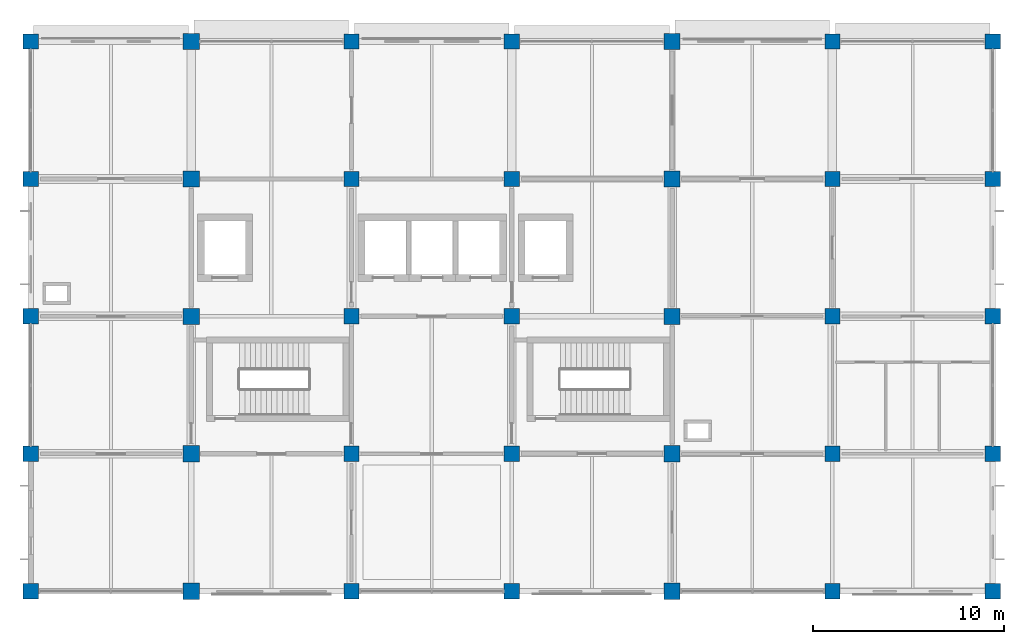
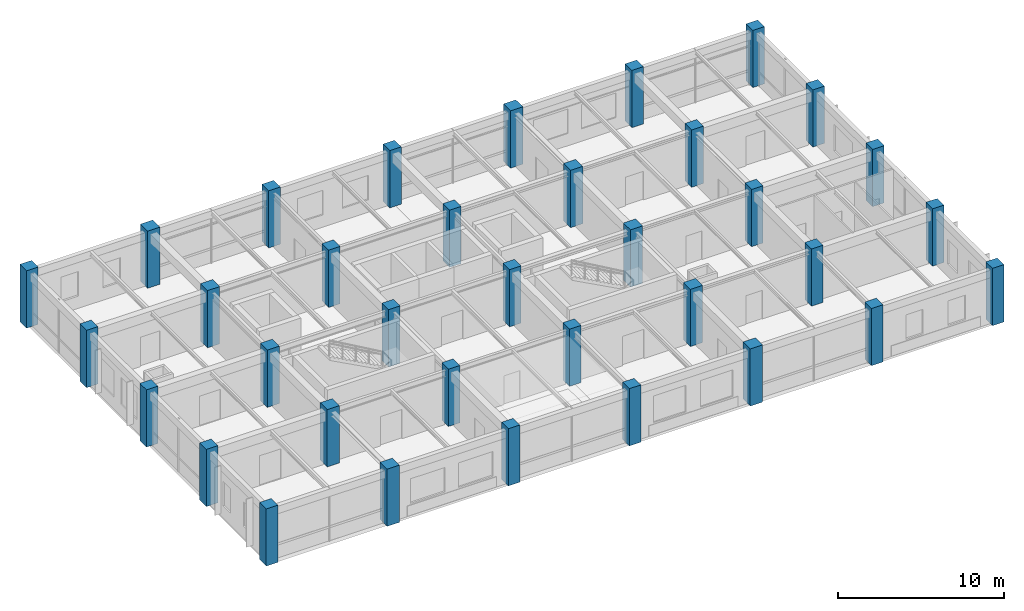
# One storey, part 1 of 13: 35 columns.
"""IFC4 building model written with IfcOpenShell, lengths in metres."""

from ifc_helpers import new_model, si_unit, derived_unit, direction, frame, origin, origin_2d, place, context, subcontext, project, spatial, rectangle, extrude, material, material_profile, profile_set, type_object, element, save


model = new_model("IFC4")

# Units and contexts
model_context = context("Model", 3, precision=1e-05, world=origin(), true_north=direction((0.0, 1.0)))
body_context = subcontext(model_context, "Body", "Model", "MODEL_VIEW")
ifc_project = project(units=[si_unit("LENGTHUNIT", "METRE"), si_unit("AREAUNIT", "SQUARE_METRE"), si_unit("VOLUMEUNIT", "CUBIC_METRE"), si_unit("PLANEANGLEUNIT", "RADIAN"), si_unit("MASSUNIT", "GRAM", prefix="KILO"), derived_unit("THERMALTRANSMITTANCEUNIT", [(si_unit("MASSUNIT", "GRAM", prefix="KILO"), 1), (si_unit("TIMEUNIT", "SECOND"), -3), (si_unit("THERMODYNAMICTEMPERATUREUNIT", "KELVIN"), -1)])], contexts=[model_context])

# Site, building, storey
site_placement = place(None, origin())
site = spatial("IfcSite", under=ifc_project, at=site_placement, CompositionType="ELEMENT")
building_placement = place(site_placement, origin())
building = spatial("IfcBuilding", under=site, at=building_placement, Name="Veldstrom Oceanarium and Marine Research Institute", CompositionType="ELEMENT")
storey_placement = place(building_placement, frame((0.0, 0.0, 27.0)))
storey = spatial("IfcBuildingStorey", under=building, at=storey_placement, Name="L05", CompositionType="ELEMENT", Elevation=27.0)

# Columns
ifc_material_1 = material(Name="Concrete C50/60", Category="concrete")
ifc_material_profile_1 = material_profile(ifc_material_1, rectangle(XDim=0.85009765625, YDim=0.85009765625, at=origin_2d()), Name="RC-COL-850x850")
ifc_profile_set_1 = profile_set([ifc_material_profile_1], Name="Concrete C50/60")
column_type_1 = type_object("IfcColumnType", Name="STR-COL-C03", PredefinedType="COLUMN", material=ifc_profile_set_1)
for number, where, z_axis, x_axis, name in (
    (1, (75.60009765625, 43.199951171875, 0.0), (0.0, 0.0, 1.0), (1.0, 0.0, 0.0), "Column C03 10/G L05"),
    (2, (75.60009765625, 50.39990234375, 0.0), (0.0, 0.0, 1.0), (1.0, 0.0, 0.0), "Column C03 10/H L05"),
    (3, (75.60009765625, 57.60009765625, 0.0), (0.0, 0.0, 1.0), (1.0, 0.0, 0.0), "Column C03 10/J L05"),
    (4, (75.60009765625, 64.800048828125, 0.0), (0.0, 0.0, 1.0), (1.0, 0.0, 0.0), "Column C03 10/K L05"),
    (5, (75.60009765625, 72.0, 0.0), (0.0, 0.0, 1.0), (1.0, 0.0, 0.0), "Column C03 10/L L05"),
    (6, (100.800048828125, 43.199951171875, 0.0), (0.0, 0.0, 1.0), (1.0, 0.0, 0.0), "Column C03 13/G L05"),
    (7, (100.800048828125, 50.39990234375, 0.0), (0.0, 0.0, 1.0), (1.0, 0.0, 0.0), "Column C03 13/H L05"),
    (8, (100.800048828125, 57.60009765625, 0.0), (0.0, 0.0, 1.0), (1.0, 0.0, 0.0), "Column C03 13/J L05"),
    (9, (100.800048828125, 64.800048828125, 0.0), (0.0, 0.0, 1.0), (1.0, 0.0, 0.0), "Column C03 13/K L05"),
    (10, (100.800048828125, 72.0, 0.0), (0.0, 0.0, 1.0), (1.0, 0.0, 0.0), "Column C03 13/L L05"),
):
    element("IfcColumn", number, at=place(storey_placement, frame(where, z_axis=z_axis, x_axis=x_axis)), inside=storey, type_object=column_type_1, Name=name, PredefinedType="COLUMN", context=body_context, shape_type="SweptSolid", body=[
        extrude(rectangle(XDim=0.85009765625, YDim=0.85009765625, at=origin_2d()), origin(), (0.0, 0.0, 1.0), 4.199951171875),
    ])
ifc_material_2 = material(Name="Concrete C50/60", Category="concrete")
ifc_material_profile_2 = material_profile(ifc_material_2, rectangle(XDim=0.800048828125, YDim=0.800048828125, at=origin_2d()), Name="RC-COL-800x800")
ifc_profile_set_2 = profile_set([ifc_material_profile_2], Name="Concrete C50/60")
column_type_2 = type_object("IfcColumnType", Name="STR-COL-C04", PredefinedType="COLUMN", material=ifc_profile_set_2)
for number, where, z_axis, x_axis, name in (
    (11, (67.199951171875, 43.199951171875, 0.0), (0.0, 0.0, 1.0), (1.0, 0.0, 0.0), "Column C04 9/G L05"),
    (12, (67.199951171875, 50.39990234375, 0.0), (0.0, 0.0, 1.0), (1.0, 0.0, 0.0), "Column C04 9/H L05"),
    (13, (67.199951171875, 57.60009765625, 0.0), (0.0, 0.0, 1.0), (1.0, 0.0, 0.0), "Column C04 9/J L05"),
    (14, (67.199951171875, 64.800048828125, 0.0), (0.0, 0.0, 1.0), (1.0, 0.0, 0.0), "Column C04 9/K L05"),
    (15, (67.199951171875, 72.0, 0.0), (0.0, 0.0, 1.0), (1.0, 0.0, 0.0), "Column C04 9/L L05"),
    (16, (84.0, 43.199951171875, 0.0), (0.0, 0.0, 1.0), (1.0, 0.0, 0.0), "Column C04 11/G L05"),
    (17, (84.0, 50.39990234375, 0.0), (0.0, 0.0, 1.0), (1.0, 0.0, 0.0), "Column C04 11/H L05"),
    (18, (84.0, 57.60009765625, 0.0), (0.0, 0.0, 1.0), (1.0, 0.0, 0.0), "Column C04 11/J L05"),
    (19, (84.0, 64.800048828125, 0.0), (0.0, 0.0, 1.0), (1.0, 0.0, 0.0), "Column C04 11/K L05"),
    (20, (84.0, 72.0, 0.0), (0.0, 0.0, 1.0), (1.0, 0.0, 0.0), "Column C04 11/L L05"),
    (21, (92.39990234375, 43.199951171875, 0.0), (0.0, 0.0, 1.0), (1.0, 0.0, 0.0), "Column C04 12/G L05"),
    (22, (92.39990234375, 50.39990234375, 0.0), (0.0, 0.0, 1.0), (1.0, 0.0, 0.0), "Column C04 12/H L05"),
    (23, (92.39990234375, 57.60009765625, 0.0), (0.0, 0.0, 1.0), (1.0, 0.0, 0.0), "Column C04 12/J L05"),
    (24, (92.39990234375, 64.800048828125, 0.0), (0.0, 0.0, 1.0), (1.0, 0.0, 0.0), "Column C04 12/K L05"),
    (25, (92.39990234375, 72.0, 0.0), (0.0, 0.0, 1.0), (1.0, 0.0, 0.0), "Column C04 12/L L05"),
    (26, (109.199951171875, 43.199951171875, 0.0), (0.0, 0.0, 1.0), (1.0, 0.0, 0.0), "Column C04 14/G L05"),
    (27, (109.199951171875, 50.39990234375, 0.0), (0.0, 0.0, 1.0), (1.0, 0.0, 0.0), "Column C04 14/H L05"),
    (28, (109.199951171875, 57.60009765625, 0.0), (0.0, 0.0, 1.0), (1.0, 0.0, 0.0), "Column C04 14/J L05"),
    (29, (109.199951171875, 64.800048828125, 0.0), (0.0, 0.0, 1.0), (1.0, 0.0, 0.0), "Column C04 14/K L05"),
    (30, (109.199951171875, 72.0, 0.0), (0.0, 0.0, 1.0), (1.0, 0.0, 0.0), "Column C04 14/L L05"),
    (31, (117.60009765625, 43.199951171875, 0.0), (0.0, 0.0, 1.0), (1.0, 0.0, 0.0), "Column C04 15/G L05"),
    (32, (117.60009765625, 50.39990234375, 0.0), (0.0, 0.0, 1.0), (1.0, 0.0, 0.0), "Column C04 15/H L05"),
    (33, (117.60009765625, 57.60009765625, 0.0), (0.0, 0.0, 1.0), (1.0, 0.0, 0.0), "Column C04 15/J L05"),
    (34, (117.60009765625, 64.800048828125, 0.0), (0.0, 0.0, 1.0), (1.0, 0.0, 0.0), "Column C04 15/K L05"),
    (35, (117.60009765625, 72.0, 0.0), (0.0, 0.0, 1.0), (1.0, 0.0, 0.0), "Column C04 15/L L05"),
):
    element("IfcColumn", number, at=place(storey_placement, frame(where, z_axis=z_axis, x_axis=x_axis)), inside=storey, type_object=column_type_2, Name=name, PredefinedType="COLUMN", context=body_context, shape_type="SweptSolid", body=[
        extrude(rectangle(XDim=0.800048828125, YDim=0.800048828125, at=origin_2d()), origin(), (0.0, 0.0, 1.0), 4.199951171875),
    ])

save(model, "model.ifc")
